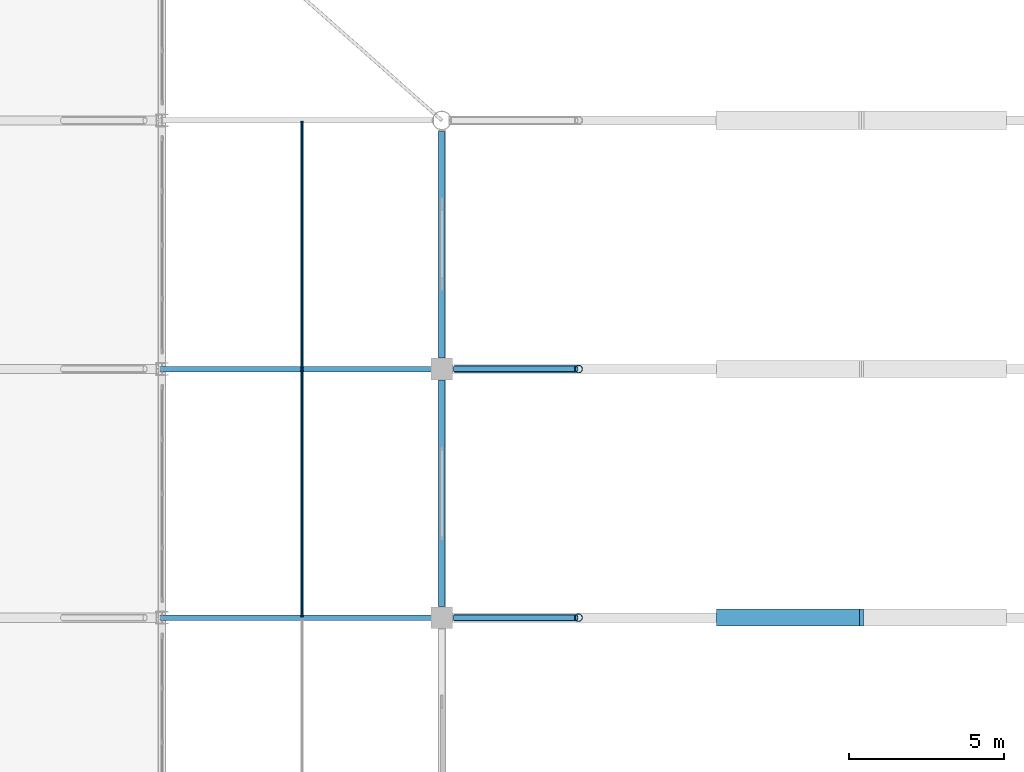
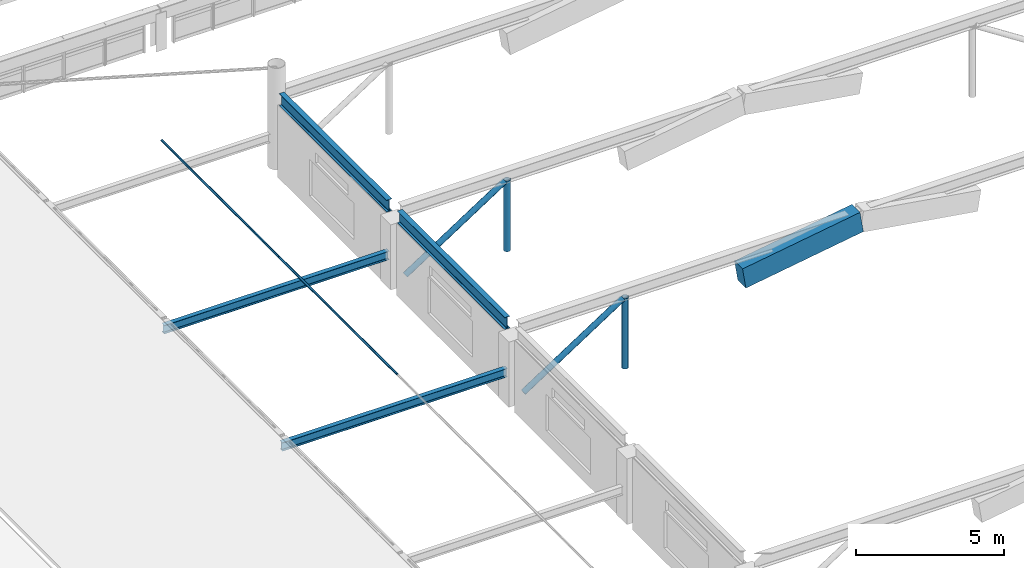
# One storey, part 47 of 128: 6 members, 5 beams.
"""IFC4 building model written with IfcOpenShell, lengths in metres."""

from ifc_helpers import new_model, si_unit, derived_unit, direction, frame, origin, origin_2d, place, context, subcontext, project, spatial, rectangle, hollow_circle, i_section, extrude, material, material_profile, profile_set, type_object, element, save


model = new_model("IFC4")

# Units and contexts
model_context = context("Model", 3, precision=1e-05, world=origin(), true_north=direction((0.0, 1.0)))
body_context = subcontext(model_context, "Body", "Model", "MODEL_VIEW")
ifc_project = project(units=[si_unit("LENGTHUNIT", "METRE"), si_unit("AREAUNIT", "SQUARE_METRE"), si_unit("VOLUMEUNIT", "CUBIC_METRE"), si_unit("PLANEANGLEUNIT", "RADIAN"), si_unit("MASSUNIT", "GRAM", prefix="KILO"), derived_unit("THERMALTRANSMITTANCEUNIT", [(si_unit("MASSUNIT", "GRAM", prefix="KILO"), 1), (si_unit("TIMEUNIT", "SECOND"), -3), (si_unit("THERMODYNAMICTEMPERATUREUNIT", "KELVIN"), -1)])], contexts=[model_context])

# Site, building, storey
site_placement = place(None, origin())
site = spatial("IfcSite", under=ifc_project, at=site_placement, CompositionType="ELEMENT")
building_placement = place(site_placement, origin())
building = spatial("IfcBuilding", under=site, at=building_placement, Name="Zhenchuan Archway Interchange", CompositionType="ELEMENT")
storey_placement = place(building_placement, frame((0.0, 0.0, 14.39990234375)))
storey = spatial("IfcBuildingStorey", under=building, at=storey_placement, Name="L03", CompositionType="ELEMENT", Elevation=14.39990234375)

# Beams
ifc_material_1 = material(Name="Concrete C50", Category="concrete")
ifc_material_profile_1 = material_profile(ifc_material_1, rectangle(XDim=0.550048828125, YDim=0.85009765625, at=origin_2d()), Name="RC 550x850")
ifc_profile_set_1 = profile_set([ifc_material_profile_1], Name="Concrete C50")
beam_type_1 = type_object("IfcBeamType", Name="BM_RC_ARCH_550x850", PredefinedType="BEAM", material=ifc_profile_set_1)
beam_placement = place(storey_placement, frame((44.902099609375, 64.0, 2.05029296875), z_axis=(0.987636302069, 0.0, 0.156762670416), x_axis=(0.0, 1.0, 0.0)))
element("IfcBeam", 1, at=beam_placement, inside=storey, type_object=beam_type_1, Name="Parabolic RC concourse arch A4 segment 3", PredefinedType="BEAM", context=body_context, shape_type="SweptSolid", body=[
    extrude(rectangle(XDim=0.550048828125, YDim=0.85009765625, at=origin_2d()), origin(), (0.0, 0.0, 1.0), 4.653564453125),
])
ifc_material_2 = material(Name="Steel Q355", Category="steel")
ifc_material_profile_2 = material_profile(ifc_material_2, i_section(OverallWidth=0.175048828125, OverallDepth=0.35009765625, WebThickness=0.007080078125, FlangeThickness=0.010986328125, FilletRadius=0.013916015625, at=origin_2d()), Name="HN 350x175")
ifc_profile_set_2 = profile_set([ifc_material_profile_2], Name="Steel Q355")
beam_type_2 = type_object("IfcBeamType", Name="BM_STL_EAVE_HN350", PredefinedType="BEAM", material=ifc_profile_set_2)
for number, where, z_axis, x_axis, name in (
    (2, (26.949951171875, 64.0, 1.25), (1.0, 0.0, 0.0), (0.0, 1.0, 0.0), "Concourse west ring-to-clerestory tie beam 6"),
    (3, (26.949951171875, 72.0, 1.25), (1.0, 0.0, 0.0), (0.0, 1.0, 0.0), "Concourse west ring-to-clerestory tie beam 7"),
):
    element("IfcBeam", number, at=place(storey_placement, frame(where, z_axis=z_axis, x_axis=x_axis)), inside=storey, type_object=beam_type_2, Name=name, PredefinedType="BEAM", context=body_context, shape_type="SweptSolid", body=[
        extrude(i_section(OverallWidth=0.175048828125, OverallDepth=0.35009765625, WebThickness=0.007080078125, FlangeThickness=0.010986328125, FilletRadius=0.013916015625, at=origin_2d()), origin(), (0.0, 0.0, 1.0), 8.800048828125),
    ])
ifc_material_profile_3 = material_profile(ifc_material_2, i_section(OverallWidth=0.199951171875, OverallDepth=0.5, WebThickness=0.010009765625, FlangeThickness=0.01611328125, FilletRadius=0.02001953125, at=origin_2d()), Name="HN 500x200")
ifc_profile_set_3 = profile_set([ifc_material_profile_3], Name="Steel Q355")
beam_type_3 = type_object("IfcBeamType", Name="BM_STL_HN500", PredefinedType="BEAM", material=ifc_profile_set_3)
for number, where, z_axis, x_axis, name in (
    (4, (36.0, 64.360107421875, 2.9501953125), (0.0, 1.0, 0.0), (-1.0, 0.0, 0.0), "Concourse clerestory header beam W 64-72"),
    (5, (36.0, 72.360107421875, 2.9501953125), (0.0, 1.0, 0.0), (-1.0, 0.0, 0.0), "Concourse clerestory header beam W 72-80"),
):
    element("IfcBeam", number, at=place(storey_placement, frame(where, z_axis=z_axis, x_axis=x_axis)), inside=storey, type_object=beam_type_3, Name=name, PredefinedType="BEAM", context=body_context, shape_type="SweptSolid", body=[
        extrude(i_section(OverallWidth=0.199951171875, OverallDepth=0.5, WebThickness=0.010009765625, FlangeThickness=0.01611328125, FilletRadius=0.02001953125, at=origin_2d()), origin(), (0.0, 0.0, 1.0), 7.27978515625),
    ])

# Members
ifc_material_3 = material(Name="Steel Q390", Category="steel")
ifc_material_profile_4 = material_profile(ifc_material_3, hollow_circle(Radius=0.04443359375, WallThickness=0.006103515625, at=origin_2d()), Name="CHS 89x6")
ifc_profile_set_4 = profile_set([ifc_material_profile_4], Name="Steel Q390")
member_type_1 = type_object("IfcMemberType", Name="MB_CBL_CHS89", PredefinedType="USERDEFINED", material=ifc_profile_set_4)
for number, where, z_axis, x_axis, name in (
    (6, (31.5, 64.02001953125, 2.60009765625), (0.0, 1.0, 0.0), (-1.0, 0.0, 0.0), "CONCOURSE ROOF CABLE longitudinal net strand 5-1"),
    (7, (31.5, 72.02001953125, 2.60009765625), (0.0, 1.0, 0.0), (-1.0, 0.0, 0.0), "CONCOURSE ROOF CABLE longitudinal net strand 6-1"),
):
    element("IfcMember", number, at=place(storey_placement, frame(where, z_axis=z_axis, x_axis=x_axis)), inside=storey, type_object=member_type_1, Name=name, ObjectType="CABLE", PredefinedType="USERDEFINED", context=body_context, shape_type="SweptSolid", body=[
        extrude(hollow_circle(Radius=0.04443359375, WallThickness=0.006103515625, at=origin_2d()), origin(), (0.0, 0.0, 1.0), 7.9599609375),
    ])
ifc_material_profile_5 = material_profile(ifc_material_2, hollow_circle(Radius=0.109619140625, WallThickness=0.008056640625, at=origin_2d()), Name="CHS 219x8")
ifc_profile_set_5 = profile_set([ifc_material_profile_5], Name="Steel Q355")
member_type_2 = type_object("IfcMemberType", Name="MB_CHS219", PredefinedType="BRACE", material=ifc_profile_set_5)
for number, where, z_axis, x_axis, name in (
    (8, (36.419921875, 64.0, 0.150146484375), (0.838941198119, 0.0, 0.544222074248), (0.0, 1.0, 0.0), "ROOF TRUSS concourse arch A4 west spandrel diagonal"),
    (9, (36.419921875, 72.0, 0.150146484375), (0.838941198119, 0.0, 0.544222074248), (0.0, 1.0, 0.0), "ROOF TRUSS concourse arch A5 west spandrel diagonal"),
):
    element("IfcMember", number, at=place(storey_placement, frame(where, z_axis=z_axis, x_axis=x_axis)), inside=storey, type_object=member_type_2, Name=name, PredefinedType="BRACE", context=body_context, shape_type="SweptSolid", body=[
        extrude(hollow_circle(Radius=0.109619140625, WallThickness=0.008056640625, at=origin_2d()), origin(), (0.0, 0.0, 1.0), 4.64892578125),
    ])
ifc_material_profile_6 = material_profile(ifc_material_2, hollow_circle(Radius=0.12255859375, WallThickness=0.010009765625, at=origin_2d()), Name="CHS 245x10")
ifc_profile_set_6 = profile_set([ifc_material_profile_6], Name="Steel Q355")
member_type_3 = type_object("IfcMemberType", Name="MB_CHS245", PredefinedType="BRACE", material=ifc_profile_set_6)
for number, where, z_axis, x_axis, name in (
    (10, (40.39990234375, 64.0, -0.199951171875), (0.0, 0.0, 1.0), (1.0, 0.0, 0.0), "ROOF TRUSS concourse arch A4 spandrel post 1"),
    (11, (40.39990234375, 72.0, -0.199951171875), (0.0, 0.0, 1.0), (1.0, 0.0, 0.0), "ROOF TRUSS concourse arch A5 spandrel post 1"),
):
    element("IfcMember", number, at=place(storey_placement, frame(where, z_axis=z_axis, x_axis=x_axis)), inside=storey, type_object=member_type_3, Name=name, PredefinedType="BRACE", context=body_context, shape_type="SweptSolid", body=[
        extrude(hollow_circle(Radius=0.12255859375, WallThickness=0.010009765625, at=origin_2d()), origin(), (0.0, 0.0, 1.0), 2.920166015625),
    ])

save(model, "model.ifc")
